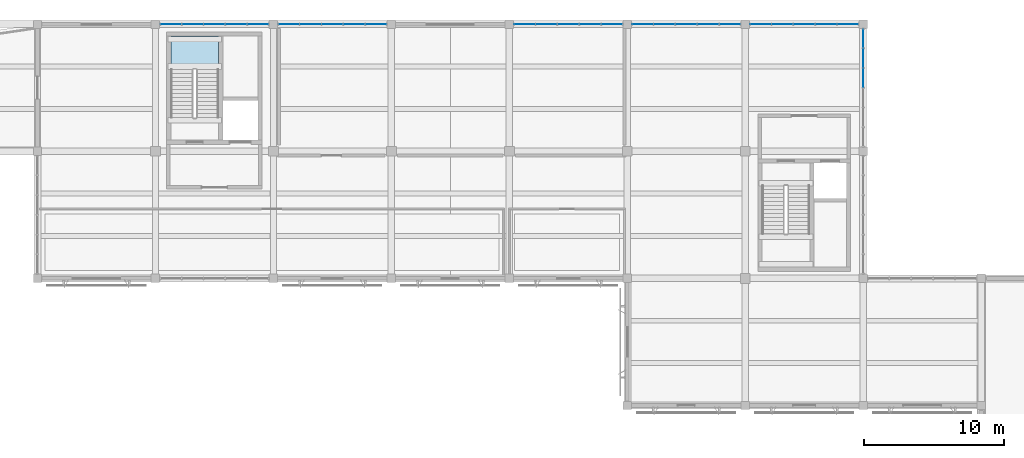
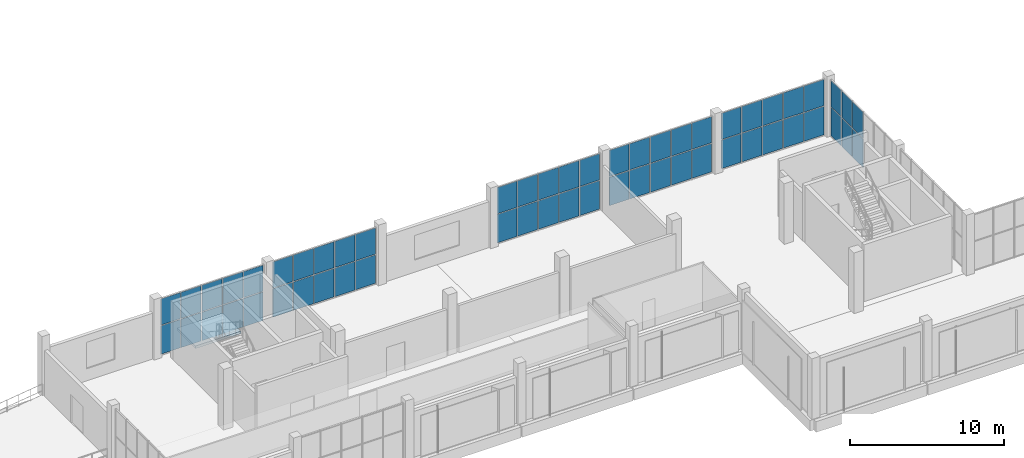
# One storey, part 53 of 80: 56 plates, 1 slab, 7 elements without a shape of their own.
"""IFC4 building model written with IfcOpenShell, lengths in metres."""

from ifc_helpers import new_model, si_unit, direction, frame, origin, origin_2d, place, context, subcontext, project, spatial, polyline, rectangle, outline, extrude, material, layer, layer_set, type_object, element, aggregate, save


model = new_model("IFC4")

# Units and contexts
model_context = context("Model", 3, precision=1e-05, world=origin(), true_north=direction((0.0, 1.0)))
body_context = subcontext(model_context, "Body", "Model", "MODEL_VIEW")
ifc_project = project(units=[si_unit("LENGTHUNIT", "METRE"), si_unit("AREAUNIT", "SQUARE_METRE"), si_unit("VOLUMEUNIT", "CUBIC_METRE"), si_unit("PLANEANGLEUNIT", "RADIAN"), si_unit("MASSUNIT", "GRAM", prefix="KILO")], contexts=[model_context])

# Site, building, storey
site_placement = place(None, origin())
site = spatial("IfcSite", under=ifc_project, at=site_placement, CompositionType="ELEMENT")
building_placement = place(site_placement, origin())
building = spatial("IfcBuilding", under=site, at=building_placement, Name="Khurvash Pelagic Aquarium", CompositionType="ELEMENT")
storey_placement = place(building_placement, frame((0.0, 0.0, 10.800048828125)))
storey = spatial("IfcBuildingStorey", under=building, at=storey_placement, Name="L02", CompositionType="ELEMENT", Elevation=10.800048828125)

# Curtain wall, plates
ifc_material_1 = material(Name="Anodised aluminium and low-E laminated glass", Category="aluminium")
curtain_wall_type_1 = type_object("IfcCurtainWallType", Name="CW-03", PredefinedType="USERDEFINED", material=ifc_material_1)
curtain_wall_1_placement = place(storey_placement, origin())
curtain_wall_1 = element("IfcCurtainWall", 1, at=curtain_wall_1_placement, inside=storey, type_object=curtain_wall_type_1, Name="L02 Facade Unitised Curtain Wall CW-03 0163", ObjectType="UNITISED CURTAIN WALL", PredefinedType="USERDEFINED")
ifc_material_2 = material(Name="Low-E laminated double glazing", Category="glass")
ifc_layer_1 = layer(ifc_material_2, 0.028076171875)
ifc_layer_set_1 = layer_set([ifc_layer_1], Name="Low-E laminated double glazing")
plate_type_1 = type_object("IfcPlateType", Name="CG-03", PredefinedType="CURTAIN_PANEL", material=ifc_layer_set_1)
plate_1_placement = place(storey_placement, frame((117.60009765625, 98.328369140625, 0.06005859375), z_axis=(0.0, 0.0, 1.0), x_axis=(0.0, 1.0, 0.0)))
plate_1 = element("IfcPlate", 2, at=plate_1_placement, type_object=plate_type_1, Name="CW-03 panel 4.1", PredefinedType="CURTAIN_PANEL", context=body_context, shape_type="SweptSolid", body=[
    extrude(rectangle(XDim=1.3466796875, YDim=0.028076171875, at=origin_2d()), origin(), (0.0, 0.0, 1.0), 2.25),
])
plate_2_placement = place(storey_placement, frame((117.60009765625, 98.328369140625, 2.3701171875), z_axis=(0.0, 0.0, 1.0), x_axis=(0.0, 1.0, 0.0)))
plate_2 = element("IfcPlate", 3, at=plate_2_placement, type_object=plate_type_1, Name="CW-03 panel 4.2", PredefinedType="CURTAIN_PANEL", context=body_context, shape_type="SweptSolid", body=[
    extrude(rectangle(XDim=1.3466796875, YDim=0.028076171875, at=origin_2d()), origin(), (0.0, 0.0, 1.0), 2.070068359375),
])
plate_3_placement = place(storey_placement, frame((117.60009765625, 99.735107421875, 0.06005859375), z_axis=(0.0, 0.0, 1.0), x_axis=(0.0, 1.0, 0.0)))
plate_3 = element("IfcPlate", 4, at=plate_3_placement, type_object=plate_type_1, Name="CW-03 panel 5.1", PredefinedType="CURTAIN_PANEL", context=body_context, shape_type="SweptSolid", body=[
    extrude(rectangle(XDim=1.3466796875, YDim=0.028076171875, at=origin_2d()), origin(), (0.0, 0.0, 1.0), 2.25),
])
plate_4_placement = place(storey_placement, frame((117.60009765625, 99.735107421875, 2.3701171875), z_axis=(0.0, 0.0, 1.0), x_axis=(0.0, 1.0, 0.0)))
plate_4 = element("IfcPlate", 5, at=plate_4_placement, type_object=plate_type_1, Name="CW-03 panel 5.2", PredefinedType="CURTAIN_PANEL", context=body_context, shape_type="SweptSolid", body=[
    extrude(rectangle(XDim=1.3466796875, YDim=0.028076171875, at=origin_2d()), origin(), (0.0, 0.0, 1.0), 2.070068359375),
])
plate_5_placement = place(storey_placement, frame((117.60009765625, 101.126708984375, 0.06005859375), z_axis=(0.0, 0.0, 1.0), x_axis=(0.0, 1.0, 0.0)))
plate_5 = element("IfcPlate", 6, at=plate_5_placement, type_object=plate_type_1, Name="CW-03 panel 6.1", PredefinedType="CURTAIN_PANEL", context=body_context, shape_type="SweptSolid", body=[
    extrude(rectangle(XDim=1.316650390625, YDim=0.028076171875, at=origin_2d()), origin(), (0.0, 0.0, 1.0), 2.25),
])
plate_6_placement = place(storey_placement, frame((117.60009765625, 101.126708984375, 2.3701171875), z_axis=(0.0, 0.0, 1.0), x_axis=(0.0, 1.0, 0.0)))
plate_6 = element("IfcPlate", 7, at=plate_6_placement, type_object=plate_type_1, Name="CW-03 panel 6.2", PredefinedType="CURTAIN_PANEL", context=body_context, shape_type="SweptSolid", body=[
    extrude(rectangle(XDim=1.316650390625, YDim=0.028076171875, at=origin_2d()), origin(), (0.0, 0.0, 1.0), 2.070068359375),
])
aggregate(curtain_wall_1, [plate_1, plate_2, plate_3, plate_4, plate_5, plate_6])

curtain_wall_type_2 = type_object("IfcCurtainWallType", Name="CW-06", PredefinedType="USERDEFINED", material=ifc_material_1)
curtain_wall_2_placement = place(storey_placement, origin())
curtain_wall_2 = element("IfcCurtainWall", 8, at=curtain_wall_2_placement, inside=storey, type_object=curtain_wall_type_2, Name="L02 Facade Unitised Curtain Wall CW-06 0164", ObjectType="UNITISED CURTAIN WALL", PredefinedType="USERDEFINED")
ifc_layer_2 = layer(ifc_material_2, 0.030029296875)
ifc_layer_set_2 = layer_set([ifc_layer_2], Name="Low-E laminated double glazing")
plate_type_2 = type_object("IfcPlateType", Name="CG-06", PredefinedType="CURTAIN_PANEL", material=ifc_layer_set_2)
plate_7_placement = place(storey_placement, frame((116.5009765625, 102.14990234375, 0.06005859375), z_axis=(0.0, 0.0, 1.0), x_axis=(-1.0, 0.0, 0.0)))
plate_7 = element("IfcPlate", 9, at=plate_7_placement, type_object=plate_type_2, Name="CW-06 panel 1.1", PredefinedType="CURTAIN_PANEL", context=body_context, shape_type="SweptSolid", body=[
    extrude(rectangle(XDim=1.468017578125, YDim=0.030029296875, at=origin_2d()), origin(), (0.0, 0.0, 1.0), 2.25),
])
plate_8_placement = place(storey_placement, frame((116.5009765625, 102.14990234375, 2.3701171875), z_axis=(0.0, 0.0, 1.0), x_axis=(-1.0, 0.0, 0.0)))
plate_8 = element("IfcPlate", 10, at=plate_8_placement, type_object=plate_type_2, Name="CW-06 panel 1.2", PredefinedType="CURTAIN_PANEL", context=body_context, shape_type="SweptSolid", body=[
    extrude(rectangle(XDim=1.468017578125, YDim=0.030029296875, at=origin_2d()), origin(), (0.0, 0.0, 1.0), 2.070068359375),
])
plate_9_placement = place(storey_placement, frame((114.9580078125, 102.14990234375, 0.06005859375), z_axis=(0.0, 0.0, 1.0), x_axis=(-1.0, 0.0, 0.0)))
plate_9 = element("IfcPlate", 11, at=plate_9_placement, type_object=plate_type_2, Name="CW-06 panel 2.1", PredefinedType="CURTAIN_PANEL", context=body_context, shape_type="SweptSolid", body=[
    extrude(rectangle(XDim=1.498046875, YDim=0.030029296875, at=origin_2d()), origin(), (0.0, 0.0, 1.0), 2.25),
])
plate_10_placement = place(storey_placement, frame((114.9580078125, 102.14990234375, 2.3701171875), z_axis=(0.0, 0.0, 1.0), x_axis=(-1.0, 0.0, 0.0)))
plate_10 = element("IfcPlate", 12, at=plate_10_placement, type_object=plate_type_2, Name="CW-06 panel 2.2", PredefinedType="CURTAIN_PANEL", context=body_context, shape_type="SweptSolid", body=[
    extrude(rectangle(XDim=1.498046875, YDim=0.030029296875, at=origin_2d()), origin(), (0.0, 0.0, 1.0), 2.070068359375),
])
plate_11_placement = place(storey_placement, frame((113.39990234375, 102.14990234375, 0.06005859375), z_axis=(0.0, 0.0, 1.0), x_axis=(-1.0, 0.0, 0.0)))
plate_11 = element("IfcPlate", 13, at=plate_11_placement, type_object=plate_type_2, Name="CW-06 panel 3.1", PredefinedType="CURTAIN_PANEL", context=body_context, shape_type="SweptSolid", body=[
    extrude(rectangle(XDim=1.498046875, YDim=0.030029296875, at=origin_2d()), origin(), (0.0, 0.0, 1.0), 2.25),
])
plate_12_placement = place(storey_placement, frame((113.39990234375, 102.14990234375, 2.3701171875), z_axis=(0.0, 0.0, 1.0), x_axis=(-1.0, 0.0, 0.0)))
plate_12 = element("IfcPlate", 14, at=plate_12_placement, type_object=plate_type_2, Name="CW-06 panel 3.2", PredefinedType="CURTAIN_PANEL", context=body_context, shape_type="SweptSolid", body=[
    extrude(rectangle(XDim=1.498046875, YDim=0.030029296875, at=origin_2d()), origin(), (0.0, 0.0, 1.0), 2.070068359375),
])
plate_13_placement = place(storey_placement, frame((111.842041015625, 102.14990234375, 0.06005859375), z_axis=(0.0, 0.0, 1.0), x_axis=(-1.0, 0.0, 0.0)))
plate_13 = element("IfcPlate", 15, at=plate_13_placement, type_object=plate_type_2, Name="CW-06 panel 4.1", PredefinedType="CURTAIN_PANEL", context=body_context, shape_type="SweptSolid", body=[
    extrude(rectangle(XDim=1.498046875, YDim=0.030029296875, at=origin_2d()), origin(), (0.0, 0.0, 1.0), 2.25),
])
plate_14_placement = place(storey_placement, frame((111.842041015625, 102.14990234375, 2.3701171875), z_axis=(0.0, 0.0, 1.0), x_axis=(-1.0, 0.0, 0.0)))
plate_14 = element("IfcPlate", 16, at=plate_14_placement, type_object=plate_type_2, Name="CW-06 panel 4.2", PredefinedType="CURTAIN_PANEL", context=body_context, shape_type="SweptSolid", body=[
    extrude(rectangle(XDim=1.498046875, YDim=0.030029296875, at=origin_2d()), origin(), (0.0, 0.0, 1.0), 2.070068359375),
])
plate_15_placement = place(storey_placement, frame((110.299072265625, 102.14990234375, 0.06005859375), z_axis=(0.0, 0.0, 1.0), x_axis=(-1.0, 0.0, 0.0)))
plate_15 = element("IfcPlate", 17, at=plate_15_placement, type_object=plate_type_2, Name="CW-06 panel 5.1", PredefinedType="CURTAIN_PANEL", context=body_context, shape_type="SweptSolid", body=[
    extrude(rectangle(XDim=1.468017578125, YDim=0.030029296875, at=origin_2d()), origin(), (0.0, 0.0, 1.0), 2.25),
])
plate_16_placement = place(storey_placement, frame((110.299072265625, 102.14990234375, 2.3701171875), z_axis=(0.0, 0.0, 1.0), x_axis=(-1.0, 0.0, 0.0)))
plate_16 = element("IfcPlate", 18, at=plate_16_placement, type_object=plate_type_2, Name="CW-06 panel 5.2", PredefinedType="CURTAIN_PANEL", context=body_context, shape_type="SweptSolid", body=[
    extrude(rectangle(XDim=1.468017578125, YDim=0.030029296875, at=origin_2d()), origin(), (0.0, 0.0, 1.0), 2.070068359375),
])
aggregate(curtain_wall_2, [plate_7, plate_8, plate_9, plate_10, plate_11, plate_12, plate_13, plate_14, plate_15, plate_16])

curtain_wall_3_placement = place(storey_placement, origin())
curtain_wall_3 = element("IfcCurtainWall", 19, at=curtain_wall_3_placement, inside=storey, type_object=curtain_wall_type_2, Name="L02 Facade Unitised Curtain Wall CW-06 0165", ObjectType="UNITISED CURTAIN WALL", PredefinedType="USERDEFINED")
plate_17_placement = place(storey_placement, frame((108.10107421875, 102.14990234375, 0.06005859375), z_axis=(0.0, 0.0, 1.0), x_axis=(-1.0, 0.0, 0.0)))
plate_17 = element("IfcPlate", 20, at=plate_17_placement, type_object=plate_type_2, Name="CW-06 panel 1.1", PredefinedType="CURTAIN_PANEL", context=body_context, shape_type="SweptSolid", body=[
    extrude(rectangle(XDim=1.468017578125, YDim=0.030029296875, at=origin_2d()), origin(), (0.0, 0.0, 1.0), 2.25),
])
plate_18_placement = place(storey_placement, frame((108.10107421875, 102.14990234375, 2.3701171875), z_axis=(0.0, 0.0, 1.0), x_axis=(-1.0, 0.0, 0.0)))
plate_18 = element("IfcPlate", 21, at=plate_18_placement, type_object=plate_type_2, Name="CW-06 panel 1.2", PredefinedType="CURTAIN_PANEL", context=body_context, shape_type="SweptSolid", body=[
    extrude(rectangle(XDim=1.468017578125, YDim=0.030029296875, at=origin_2d()), origin(), (0.0, 0.0, 1.0), 2.070068359375),
])
plate_19_placement = place(storey_placement, frame((106.55810546875, 102.14990234375, 0.06005859375), z_axis=(0.0, 0.0, 1.0), x_axis=(-1.0, 0.0, 0.0)))
plate_19 = element("IfcPlate", 22, at=plate_19_placement, type_object=plate_type_2, Name="CW-06 panel 2.1", PredefinedType="CURTAIN_PANEL", context=body_context, shape_type="SweptSolid", body=[
    extrude(rectangle(XDim=1.498046875, YDim=0.030029296875, at=origin_2d()), origin(), (0.0, 0.0, 1.0), 2.25),
])
plate_20_placement = place(storey_placement, frame((106.55810546875, 102.14990234375, 2.3701171875), z_axis=(0.0, 0.0, 1.0), x_axis=(-1.0, 0.0, 0.0)))
plate_20 = element("IfcPlate", 23, at=plate_20_placement, type_object=plate_type_2, Name="CW-06 panel 2.2", PredefinedType="CURTAIN_PANEL", context=body_context, shape_type="SweptSolid", body=[
    extrude(rectangle(XDim=1.498046875, YDim=0.030029296875, at=origin_2d()), origin(), (0.0, 0.0, 1.0), 2.070068359375),
])
plate_21_placement = place(storey_placement, frame((105.0, 102.14990234375, 0.06005859375), z_axis=(0.0, 0.0, 1.0), x_axis=(-1.0, 0.0, 0.0)))
plate_21 = element("IfcPlate", 24, at=plate_21_placement, type_object=plate_type_2, Name="CW-06 panel 3.1", PredefinedType="CURTAIN_PANEL", context=body_context, shape_type="SweptSolid", body=[
    extrude(rectangle(XDim=1.498046875, YDim=0.030029296875, at=origin_2d()), origin(), (0.0, 0.0, 1.0), 2.25),
])
plate_22_placement = place(storey_placement, frame((105.0, 102.14990234375, 2.3701171875), z_axis=(0.0, 0.0, 1.0), x_axis=(-1.0, 0.0, 0.0)))
plate_22 = element("IfcPlate", 25, at=plate_22_placement, type_object=plate_type_2, Name="CW-06 panel 3.2", PredefinedType="CURTAIN_PANEL", context=body_context, shape_type="SweptSolid", body=[
    extrude(rectangle(XDim=1.498046875, YDim=0.030029296875, at=origin_2d()), origin(), (0.0, 0.0, 1.0), 2.070068359375),
])
plate_23_placement = place(storey_placement, frame((103.44189453125, 102.14990234375, 0.06005859375), z_axis=(0.0, 0.0, 1.0), x_axis=(-1.0, 0.0, 0.0)))
plate_23 = element("IfcPlate", 26, at=plate_23_placement, type_object=plate_type_2, Name="CW-06 panel 4.1", PredefinedType="CURTAIN_PANEL", context=body_context, shape_type="SweptSolid", body=[
    extrude(rectangle(XDim=1.498046875, YDim=0.030029296875, at=origin_2d()), origin(), (0.0, 0.0, 1.0), 2.25),
])
plate_24_placement = place(storey_placement, frame((103.44189453125, 102.14990234375, 2.3701171875), z_axis=(0.0, 0.0, 1.0), x_axis=(-1.0, 0.0, 0.0)))
plate_24 = element("IfcPlate", 27, at=plate_24_placement, type_object=plate_type_2, Name="CW-06 panel 4.2", PredefinedType="CURTAIN_PANEL", context=body_context, shape_type="SweptSolid", body=[
    extrude(rectangle(XDim=1.498046875, YDim=0.030029296875, at=origin_2d()), origin(), (0.0, 0.0, 1.0), 2.070068359375),
])
plate_25_placement = place(storey_placement, frame((101.89892578125, 102.14990234375, 0.06005859375), z_axis=(0.0, 0.0, 1.0), x_axis=(-1.0, 0.0, 0.0)))
plate_25 = element("IfcPlate", 28, at=plate_25_placement, type_object=plate_type_2, Name="CW-06 panel 5.1", PredefinedType="CURTAIN_PANEL", context=body_context, shape_type="SweptSolid", body=[
    extrude(rectangle(XDim=1.468017578125, YDim=0.030029296875, at=origin_2d()), origin(), (0.0, 0.0, 1.0), 2.25),
])
plate_26_placement = place(storey_placement, frame((101.89892578125, 102.14990234375, 2.3701171875), z_axis=(0.0, 0.0, 1.0), x_axis=(-1.0, 0.0, 0.0)))
plate_26 = element("IfcPlate", 29, at=plate_26_placement, type_object=plate_type_2, Name="CW-06 panel 5.2", PredefinedType="CURTAIN_PANEL", context=body_context, shape_type="SweptSolid", body=[
    extrude(rectangle(XDim=1.468017578125, YDim=0.030029296875, at=origin_2d()), origin(), (0.0, 0.0, 1.0), 2.070068359375),
])
aggregate(curtain_wall_3, [plate_17, plate_18, plate_19, plate_20, plate_21, plate_22, plate_23, plate_24, plate_25, plate_26])

curtain_wall_4_placement = place(storey_placement, origin())
curtain_wall_4 = element("IfcCurtainWall", 30, at=curtain_wall_4_placement, inside=storey, type_object=curtain_wall_type_2, Name="L02 Facade Unitised Curtain Wall CW-06 0166", ObjectType="UNITISED CURTAIN WALL", PredefinedType="USERDEFINED")
plate_27_placement = place(storey_placement, frame((99.700927734375, 102.14990234375, 0.06005859375), z_axis=(0.0, 0.0, 1.0), x_axis=(-1.0, 0.0, 0.0)))
plate_27 = element("IfcPlate", 31, at=plate_27_placement, type_object=plate_type_2, Name="CW-06 panel 1.1", PredefinedType="CURTAIN_PANEL", context=body_context, shape_type="SweptSolid", body=[
    extrude(rectangle(XDim=1.468017578125, YDim=0.030029296875, at=origin_2d()), origin(), (0.0, 0.0, 1.0), 2.25),
])
plate_28_placement = place(storey_placement, frame((99.700927734375, 102.14990234375, 2.3701171875), z_axis=(0.0, 0.0, 1.0), x_axis=(-1.0, 0.0, 0.0)))
plate_28 = element("IfcPlate", 32, at=plate_28_placement, type_object=plate_type_2, Name="CW-06 panel 1.2", PredefinedType="CURTAIN_PANEL", context=body_context, shape_type="SweptSolid", body=[
    extrude(rectangle(XDim=1.468017578125, YDim=0.030029296875, at=origin_2d()), origin(), (0.0, 0.0, 1.0), 2.070068359375),
])
plate_29_placement = place(storey_placement, frame((98.157958984375, 102.14990234375, 0.06005859375), z_axis=(0.0, 0.0, 1.0), x_axis=(-1.0, 0.0, 0.0)))
plate_29 = element("IfcPlate", 33, at=plate_29_placement, type_object=plate_type_2, Name="CW-06 panel 2.1", PredefinedType="CURTAIN_PANEL", context=body_context, shape_type="SweptSolid", body=[
    extrude(rectangle(XDim=1.498046875, YDim=0.030029296875, at=origin_2d()), origin(), (0.0, 0.0, 1.0), 2.25),
])
plate_30_placement = place(storey_placement, frame((98.157958984375, 102.14990234375, 2.3701171875), z_axis=(0.0, 0.0, 1.0), x_axis=(-1.0, 0.0, 0.0)))
plate_30 = element("IfcPlate", 34, at=plate_30_placement, type_object=plate_type_2, Name="CW-06 panel 2.2", PredefinedType="CURTAIN_PANEL", context=body_context, shape_type="SweptSolid", body=[
    extrude(rectangle(XDim=1.498046875, YDim=0.030029296875, at=origin_2d()), origin(), (0.0, 0.0, 1.0), 2.070068359375),
])
plate_31_placement = place(storey_placement, frame((96.60009765625, 102.14990234375, 0.06005859375), z_axis=(0.0, 0.0, 1.0), x_axis=(-1.0, 0.0, 0.0)))
plate_31 = element("IfcPlate", 35, at=plate_31_placement, type_object=plate_type_2, Name="CW-06 panel 3.1", PredefinedType="CURTAIN_PANEL", context=body_context, shape_type="SweptSolid", body=[
    extrude(rectangle(XDim=1.498046875, YDim=0.030029296875, at=origin_2d()), origin(), (0.0, 0.0, 1.0), 2.25),
])
plate_32_placement = place(storey_placement, frame((96.60009765625, 102.14990234375, 2.3701171875), z_axis=(0.0, 0.0, 1.0), x_axis=(-1.0, 0.0, 0.0)))
plate_32 = element("IfcPlate", 36, at=plate_32_placement, type_object=plate_type_2, Name="CW-06 panel 3.2", PredefinedType="CURTAIN_PANEL", context=body_context, shape_type="SweptSolid", body=[
    extrude(rectangle(XDim=1.498046875, YDim=0.030029296875, at=origin_2d()), origin(), (0.0, 0.0, 1.0), 2.070068359375),
])
plate_33_placement = place(storey_placement, frame((95.0419921875, 102.14990234375, 0.06005859375), z_axis=(0.0, 0.0, 1.0), x_axis=(-1.0, 0.0, 0.0)))
plate_33 = element("IfcPlate", 37, at=plate_33_placement, type_object=plate_type_2, Name="CW-06 panel 4.1", PredefinedType="CURTAIN_PANEL", context=body_context, shape_type="SweptSolid", body=[
    extrude(rectangle(XDim=1.498046875, YDim=0.030029296875, at=origin_2d()), origin(), (0.0, 0.0, 1.0), 2.25),
])
plate_34_placement = place(storey_placement, frame((95.0419921875, 102.14990234375, 2.3701171875), z_axis=(0.0, 0.0, 1.0), x_axis=(-1.0, 0.0, 0.0)))
plate_34 = element("IfcPlate", 38, at=plate_34_placement, type_object=plate_type_2, Name="CW-06 panel 4.2", PredefinedType="CURTAIN_PANEL", context=body_context, shape_type="SweptSolid", body=[
    extrude(rectangle(XDim=1.498046875, YDim=0.030029296875, at=origin_2d()), origin(), (0.0, 0.0, 1.0), 2.070068359375),
])
plate_35_placement = place(storey_placement, frame((93.4990234375, 102.14990234375, 0.06005859375), z_axis=(0.0, 0.0, 1.0), x_axis=(-1.0, 0.0, 0.0)))
plate_35 = element("IfcPlate", 39, at=plate_35_placement, type_object=plate_type_2, Name="CW-06 panel 5.1", PredefinedType="CURTAIN_PANEL", context=body_context, shape_type="SweptSolid", body=[
    extrude(rectangle(XDim=1.468017578125, YDim=0.030029296875, at=origin_2d()), origin(), (0.0, 0.0, 1.0), 2.25),
])
plate_36_placement = place(storey_placement, frame((93.4990234375, 102.14990234375, 2.3701171875), z_axis=(0.0, 0.0, 1.0), x_axis=(-1.0, 0.0, 0.0)))
plate_36 = element("IfcPlate", 40, at=plate_36_placement, type_object=plate_type_2, Name="CW-06 panel 5.2", PredefinedType="CURTAIN_PANEL", context=body_context, shape_type="SweptSolid", body=[
    extrude(rectangle(XDim=1.468017578125, YDim=0.030029296875, at=origin_2d()), origin(), (0.0, 0.0, 1.0), 2.070068359375),
])
aggregate(curtain_wall_4, [plate_27, plate_28, plate_29, plate_30, plate_31, plate_32, plate_33, plate_34, plate_35, plate_36])

curtain_wall_5_placement = place(storey_placement, origin())
curtain_wall_5 = element("IfcCurtainWall", 41, at=curtain_wall_5_placement, inside=storey, type_object=curtain_wall_type_2, Name="L02 Facade Unitised Curtain Wall CW-06 0167", ObjectType="UNITISED CURTAIN WALL", PredefinedType="USERDEFINED")
plate_37_placement = place(storey_placement, frame((82.90087890625, 102.14990234375, 0.06005859375), z_axis=(0.0, 0.0, 1.0), x_axis=(-1.0, 0.0, 0.0)))
plate_37 = element("IfcPlate", 42, at=plate_37_placement, type_object=plate_type_2, Name="CW-06 panel 1.1", PredefinedType="CURTAIN_PANEL", context=body_context, shape_type="SweptSolid", body=[
    extrude(rectangle(XDim=1.468017578125, YDim=0.030029296875, at=origin_2d()), origin(), (0.0, 0.0, 1.0), 2.25),
])
plate_38_placement = place(storey_placement, frame((82.90087890625, 102.14990234375, 2.3701171875), z_axis=(0.0, 0.0, 1.0), x_axis=(-1.0, 0.0, 0.0)))
plate_38 = element("IfcPlate", 43, at=plate_38_placement, type_object=plate_type_2, Name="CW-06 panel 1.2", PredefinedType="CURTAIN_PANEL", context=body_context, shape_type="SweptSolid", body=[
    extrude(rectangle(XDim=1.468017578125, YDim=0.030029296875, at=origin_2d()), origin(), (0.0, 0.0, 1.0), 2.070068359375),
])
plate_39_placement = place(storey_placement, frame((81.35791015625, 102.14990234375, 0.06005859375), z_axis=(0.0, 0.0, 1.0), x_axis=(-1.0, 0.0, 0.0)))
plate_39 = element("IfcPlate", 44, at=plate_39_placement, type_object=plate_type_2, Name="CW-06 panel 2.1", PredefinedType="CURTAIN_PANEL", context=body_context, shape_type="SweptSolid", body=[
    extrude(rectangle(XDim=1.498046875, YDim=0.030029296875, at=origin_2d()), origin(), (0.0, 0.0, 1.0), 2.25),
])
plate_40_placement = place(storey_placement, frame((81.35791015625, 102.14990234375, 2.3701171875), z_axis=(0.0, 0.0, 1.0), x_axis=(-1.0, 0.0, 0.0)))
plate_40 = element("IfcPlate", 45, at=plate_40_placement, type_object=plate_type_2, Name="CW-06 panel 2.2", PredefinedType="CURTAIN_PANEL", context=body_context, shape_type="SweptSolid", body=[
    extrude(rectangle(XDim=1.498046875, YDim=0.030029296875, at=origin_2d()), origin(), (0.0, 0.0, 1.0), 2.070068359375),
])
plate_41_placement = place(storey_placement, frame((79.800048828125, 102.14990234375, 0.06005859375), z_axis=(0.0, 0.0, 1.0), x_axis=(-1.0, 0.0, 0.0)))
plate_41 = element("IfcPlate", 46, at=plate_41_placement, type_object=plate_type_2, Name="CW-06 panel 3.1", PredefinedType="CURTAIN_PANEL", context=body_context, shape_type="SweptSolid", body=[
    extrude(rectangle(XDim=1.498046875, YDim=0.030029296875, at=origin_2d()), origin(), (0.0, 0.0, 1.0), 2.25),
])
plate_42_placement = place(storey_placement, frame((79.800048828125, 102.14990234375, 2.3701171875), z_axis=(0.0, 0.0, 1.0), x_axis=(-1.0, 0.0, 0.0)))
plate_42 = element("IfcPlate", 47, at=plate_42_placement, type_object=plate_type_2, Name="CW-06 panel 3.2", PredefinedType="CURTAIN_PANEL", context=body_context, shape_type="SweptSolid", body=[
    extrude(rectangle(XDim=1.498046875, YDim=0.030029296875, at=origin_2d()), origin(), (0.0, 0.0, 1.0), 2.070068359375),
])
plate_43_placement = place(storey_placement, frame((78.241943359375, 102.14990234375, 0.06005859375), z_axis=(0.0, 0.0, 1.0), x_axis=(-1.0, 0.0, 0.0)))
plate_43 = element("IfcPlate", 48, at=plate_43_placement, type_object=plate_type_2, Name="CW-06 panel 4.1", PredefinedType="CURTAIN_PANEL", context=body_context, shape_type="SweptSolid", body=[
    extrude(rectangle(XDim=1.498046875, YDim=0.030029296875, at=origin_2d()), origin(), (0.0, 0.0, 1.0), 2.25),
])
plate_44_placement = place(storey_placement, frame((78.241943359375, 102.14990234375, 2.3701171875), z_axis=(0.0, 0.0, 1.0), x_axis=(-1.0, 0.0, 0.0)))
plate_44 = element("IfcPlate", 49, at=plate_44_placement, type_object=plate_type_2, Name="CW-06 panel 4.2", PredefinedType="CURTAIN_PANEL", context=body_context, shape_type="SweptSolid", body=[
    extrude(rectangle(XDim=1.498046875, YDim=0.030029296875, at=origin_2d()), origin(), (0.0, 0.0, 1.0), 2.070068359375),
])
plate_45_placement = place(storey_placement, frame((76.698974609375, 102.14990234375, 0.06005859375), z_axis=(0.0, 0.0, 1.0), x_axis=(-1.0, 0.0, 0.0)))
plate_45 = element("IfcPlate", 50, at=plate_45_placement, type_object=plate_type_2, Name="CW-06 panel 5.1", PredefinedType="CURTAIN_PANEL", context=body_context, shape_type="SweptSolid", body=[
    extrude(rectangle(XDim=1.468017578125, YDim=0.030029296875, at=origin_2d()), origin(), (0.0, 0.0, 1.0), 2.25),
])
plate_46_placement = place(storey_placement, frame((76.698974609375, 102.14990234375, 2.3701171875), z_axis=(0.0, 0.0, 1.0), x_axis=(-1.0, 0.0, 0.0)))
plate_46 = element("IfcPlate", 51, at=plate_46_placement, type_object=plate_type_2, Name="CW-06 panel 5.2", PredefinedType="CURTAIN_PANEL", context=body_context, shape_type="SweptSolid", body=[
    extrude(rectangle(XDim=1.468017578125, YDim=0.030029296875, at=origin_2d()), origin(), (0.0, 0.0, 1.0), 2.070068359375),
])
aggregate(curtain_wall_5, [plate_37, plate_38, plate_39, plate_40, plate_41, plate_42, plate_43, plate_44, plate_45, plate_46])

curtain_wall_6_placement = place(storey_placement, origin())
curtain_wall_6 = element("IfcCurtainWall", 52, at=curtain_wall_6_placement, inside=storey, type_object=curtain_wall_type_2, Name="L02 Facade Unitised Curtain Wall CW-06 0168", ObjectType="UNITISED CURTAIN WALL", PredefinedType="USERDEFINED")
plate_47_placement = place(storey_placement, frame((74.5009765625, 102.14990234375, 0.06005859375), z_axis=(0.0, 0.0, 1.0), x_axis=(-1.0, 0.0, 0.0)))
plate_47 = element("IfcPlate", 53, at=plate_47_placement, type_object=plate_type_2, Name="CW-06 panel 1.1", PredefinedType="CURTAIN_PANEL", context=body_context, shape_type="SweptSolid", body=[
    extrude(rectangle(XDim=1.468017578125, YDim=0.030029296875, at=origin_2d()), origin(), (0.0, 0.0, 1.0), 2.25),
])
plate_48_placement = place(storey_placement, frame((74.5009765625, 102.14990234375, 2.3701171875), z_axis=(0.0, 0.0, 1.0), x_axis=(-1.0, 0.0, 0.0)))
plate_48 = element("IfcPlate", 54, at=plate_48_placement, type_object=plate_type_2, Name="CW-06 panel 1.2", PredefinedType="CURTAIN_PANEL", context=body_context, shape_type="SweptSolid", body=[
    extrude(rectangle(XDim=1.468017578125, YDim=0.030029296875, at=origin_2d()), origin(), (0.0, 0.0, 1.0), 2.070068359375),
])
plate_49_placement = place(storey_placement, frame((72.9580078125, 102.14990234375, 0.06005859375), z_axis=(0.0, 0.0, 1.0), x_axis=(-1.0, 0.0, 0.0)))
plate_49 = element("IfcPlate", 55, at=plate_49_placement, type_object=plate_type_2, Name="CW-06 panel 2.1", PredefinedType="CURTAIN_PANEL", context=body_context, shape_type="SweptSolid", body=[
    extrude(rectangle(XDim=1.498046875, YDim=0.030029296875, at=origin_2d()), origin(), (0.0, 0.0, 1.0), 2.25),
])
plate_50_placement = place(storey_placement, frame((72.9580078125, 102.14990234375, 2.3701171875), z_axis=(0.0, 0.0, 1.0), x_axis=(-1.0, 0.0, 0.0)))
plate_50 = element("IfcPlate", 56, at=plate_50_placement, type_object=plate_type_2, Name="CW-06 panel 2.2", PredefinedType="CURTAIN_PANEL", context=body_context, shape_type="SweptSolid", body=[
    extrude(rectangle(XDim=1.498046875, YDim=0.030029296875, at=origin_2d()), origin(), (0.0, 0.0, 1.0), 2.070068359375),
])
plate_51_placement = place(storey_placement, frame((71.39990234375, 102.14990234375, 0.06005859375), z_axis=(0.0, 0.0, 1.0), x_axis=(-1.0, 0.0, 0.0)))
plate_51 = element("IfcPlate", 57, at=plate_51_placement, type_object=plate_type_2, Name="CW-06 panel 3.1", PredefinedType="CURTAIN_PANEL", context=body_context, shape_type="SweptSolid", body=[
    extrude(rectangle(XDim=1.498046875, YDim=0.030029296875, at=origin_2d()), origin(), (0.0, 0.0, 1.0), 2.25),
])
plate_52_placement = place(storey_placement, frame((71.39990234375, 102.14990234375, 2.3701171875), z_axis=(0.0, 0.0, 1.0), x_axis=(-1.0, 0.0, 0.0)))
plate_52 = element("IfcPlate", 58, at=plate_52_placement, type_object=plate_type_2, Name="CW-06 panel 3.2", PredefinedType="CURTAIN_PANEL", context=body_context, shape_type="SweptSolid", body=[
    extrude(rectangle(XDim=1.498046875, YDim=0.030029296875, at=origin_2d()), origin(), (0.0, 0.0, 1.0), 2.070068359375),
])
plate_53_placement = place(storey_placement, frame((69.842041015625, 102.14990234375, 0.06005859375), z_axis=(0.0, 0.0, 1.0), x_axis=(-1.0, 0.0, 0.0)))
plate_53 = element("IfcPlate", 59, at=plate_53_placement, type_object=plate_type_2, Name="CW-06 panel 4.1", PredefinedType="CURTAIN_PANEL", context=body_context, shape_type="SweptSolid", body=[
    extrude(rectangle(XDim=1.498046875, YDim=0.030029296875, at=origin_2d()), origin(), (0.0, 0.0, 1.0), 2.25),
])
plate_54_placement = place(storey_placement, frame((69.842041015625, 102.14990234375, 2.3701171875), z_axis=(0.0, 0.0, 1.0), x_axis=(-1.0, 0.0, 0.0)))
plate_54 = element("IfcPlate", 60, at=plate_54_placement, type_object=plate_type_2, Name="CW-06 panel 4.2", PredefinedType="CURTAIN_PANEL", context=body_context, shape_type="SweptSolid", body=[
    extrude(rectangle(XDim=1.498046875, YDim=0.030029296875, at=origin_2d()), origin(), (0.0, 0.0, 1.0), 2.070068359375),
])
plate_55_placement = place(storey_placement, frame((68.299072265625, 102.14990234375, 0.06005859375), z_axis=(0.0, 0.0, 1.0), x_axis=(-1.0, 0.0, 0.0)))
plate_55 = element("IfcPlate", 61, at=plate_55_placement, type_object=plate_type_2, Name="CW-06 panel 5.1", PredefinedType="CURTAIN_PANEL", context=body_context, shape_type="SweptSolid", body=[
    extrude(rectangle(XDim=1.468017578125, YDim=0.030029296875, at=origin_2d()), origin(), (0.0, 0.0, 1.0), 2.25),
])
plate_56_placement = place(storey_placement, frame((68.299072265625, 102.14990234375, 2.3701171875), z_axis=(0.0, 0.0, 1.0), x_axis=(-1.0, 0.0, 0.0)))
plate_56 = element("IfcPlate", 62, at=plate_56_placement, type_object=plate_type_2, Name="CW-06 panel 5.2", PredefinedType="CURTAIN_PANEL", context=body_context, shape_type="SweptSolid", body=[
    extrude(rectangle(XDim=1.468017578125, YDim=0.030029296875, at=origin_2d()), origin(), (0.0, 0.0, 1.0), 2.070068359375),
])
aggregate(curtain_wall_6, [plate_47, plate_48, plate_49, plate_50, plate_51, plate_52, plate_53, plate_54, plate_55, plate_56])

# Stair, slab
ifc_material_3 = material(Name="Concrete C35/45", Category="concrete")
stair_type = type_object("IfcStairType", Name="ST-04", PredefinedType="HALF_TURN_STAIR", material=ifc_material_3)
stair_placement = place(storey_placement, origin())
stair = element("IfcStair", 63, at=stair_placement, inside=storey, type_object=stair_type, Name="L02 Protected Exit Stair ST-04", PredefinedType="HALF_TURN_STAIR")
ifc_layer_3 = layer(ifc_material_3, 0.199951171875)
ifc_layer_set_3 = layer_set([ifc_layer_3], Name="Concrete C35/45")
slab_type = type_object("IfcSlabType", Name="SL-LND-200", PredefinedType="LANDING", material=ifc_layer_set_3)
slab_placement = place(storey_placement, frame((0.0, 0.0, 2.199951171875)))
slab = element("IfcSlab", 64, at=slab_placement, type_object=slab_type, Name="ST-04 landing 1", PredefinedType="LANDING", context=body_context, shape_type="SweptSolid", body=[
    extrude(outline(polyline([(71.699951171875, 98.919921875), (71.699951171875, 101.300048828125), (68.300048828125, 101.300048828125), (68.300048828125, 98.919921875), (71.699951171875, 98.919921875)])), origin(), (0.0, 0.0, 1.0), 0.199951171875),
])
aggregate(stair, [slab])

save(model, "model.ifc")
